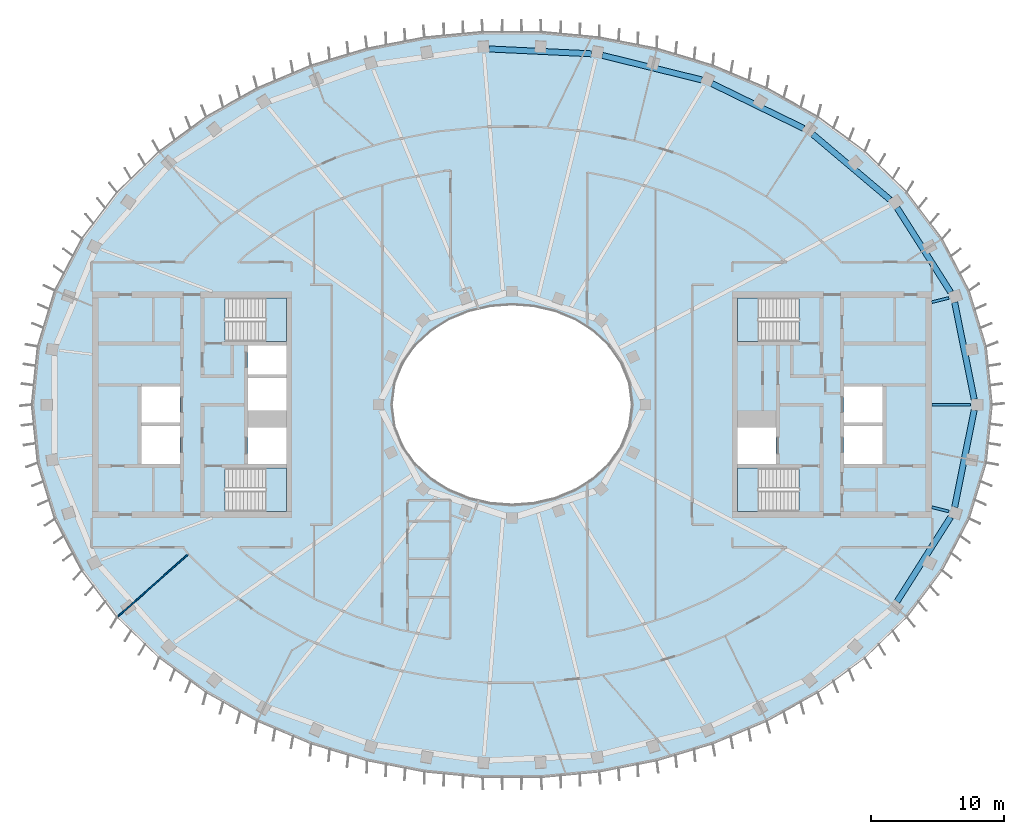
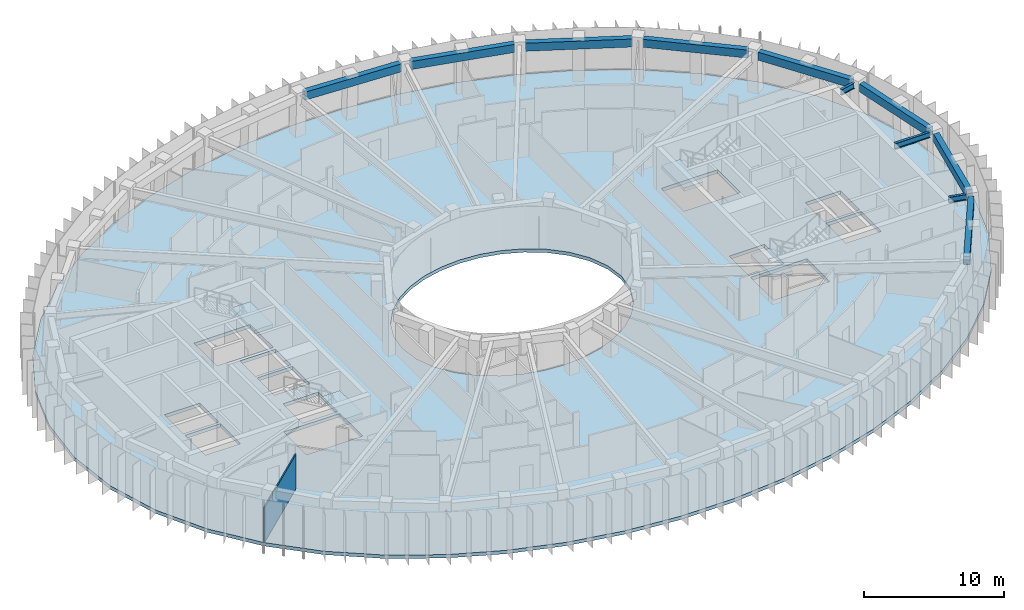
# One storey, part 2 of 13: 11 beams, 5 slabs, 1 wall, 4 elements without a shape of their own.
"""IFC4 building model written with IfcOpenShell, lengths in metres."""

import ifcopenshell
import ifcopenshell.guid

model = None  # the IFC model being written
_history = None  # IfcOwnerHistory: only IFC2X3 demands one
_inside = {}  # id of a spatial element -> (the spatial element, [elements in it])
_under = {}  # id of a project, library or spatial element -> (it, [spatial elements below it])
_declared = {}  # id of a project -> (the project, [libraries it declares])
_typed = {}  # id of a type object -> (the type object, [elements of that type])
_made_of = {}  # id of a material, layer set ... -> (it, [elements and type objects made of it])


def new_model(schema):
    """Start an empty IFC model of exactly this schema.

    Asked for "IFC4X3", IfcOpenShell would pick the latest addendum, in which some entities
    have other attributes; the version numbers below select the first issue.
    IFC2X3 requires an IfcOwnerHistory on every rooted entity: one is made here for all.
    """
    global model, _history
    if schema == "IFC4X3":
        model = ifcopenshell.file(schema_version=(4, 3, 0, 0))
    else:
        model = ifcopenshell.file(schema=schema)
    _inside.clear()
    _under.clear()
    _declared.clear()
    _typed.clear()
    _made_of.clear()
    _history = None
    if model.schema == "IFC2X3":
        org = make("IfcOrganization", Name="unknown")
        user = make(
            "IfcPersonAndOrganization",
            ThePerson=make("IfcPerson", FamilyName="unknown"),
            TheOrganization=org,
        )
        app = make(
            "IfcApplication",
            ApplicationDeveloper=org,
            Version="unknown",
            ApplicationFullName="unknown",
            ApplicationIdentifier="unknown",
        )
        _history = make(
            "IfcOwnerHistory",
            OwningUser=user,
            OwningApplication=app,
            ChangeAction="ADDED",
            CreationDate=0,
        )
    return model


def make(cls, **values):
    """One entity of the class cls with the attributes given. An attribute that is None is left unset."""
    return model.create_entity(
        cls, **{name: value for name, value in values.items() if value is not None}
    )


def rooted(cls, **values):
    """An entity with a GlobalId (a new one), such as an element, a storey or a relation."""
    return make(cls, GlobalId=ifcopenshell.guid.new(), OwnerHistory=_history, **values)


def si_unit(unit_type, name, prefix=None):
    """IfcSIUnit, for example si_unit("LENGTHUNIT", "METRE", prefix="MILLI")."""
    return make("IfcSIUnit", UnitType=unit_type, Prefix=prefix, Name=name)


def assignment(units):
    """IfcUnitAssignment: the units of a project."""
    return None if units is None else make("IfcUnitAssignment", Units=units)


def point(xyz):
    """IfcCartesianPoint."""
    return None if xyz is None else make("IfcCartesianPoint", Coordinates=xyz)


def direction(xyz):
    """IfcDirection."""
    return None if xyz is None else make("IfcDirection", DirectionRatios=xyz)


def frame(location, z_axis=None, x_axis=None):
    """IfcAxis2Placement3D, a coordinate frame: its origin and axes. An axis left out is left unset."""
    return make(
        "IfcAxis2Placement3D",
        Location=point(location),
        Axis=direction(z_axis),
        RefDirection=direction(x_axis),
    )


def frame_2d(location, x_axis=None):
    """IfcAxis2Placement2D, a coordinate frame in the plane: its origin and x axis."""
    return make(
        "IfcAxis2Placement2D", Location=point(location), RefDirection=direction(x_axis)
    )


def origin():
    """The frame at (0, 0, 0) with its axes left unset."""
    return frame((0.0, 0.0, 0.0))


def origin_2d():
    """The frame at (0, 0) in the plane with its x axis left unset."""
    return frame_2d((0.0, 0.0))


def place(relative_to, where):
    """IfcLocalPlacement: puts the frame where relative to a parent placement (None: the world)."""
    return make(
        "IfcLocalPlacement", PlacementRelTo=relative_to, RelativePlacement=where
    )


def context(
    kind, dimensions, precision=None, world=None, true_north=None, identifier=None
):
    """IfcGeometricRepresentationContext, for example the 3D "Model" context."""
    return make(
        "IfcGeometricRepresentationContext",
        ContextIdentifier=identifier,
        ContextType=kind,
        CoordinateSpaceDimension=dimensions,
        Precision=precision,
        WorldCoordinateSystem=world,
        TrueNorth=true_north,
    )


def subcontext(parent, identifier, kind, view, scale=None):
    """IfcGeometricRepresentationSubContext, for example "Body" below "Model"."""
    return make(
        "IfcGeometricRepresentationSubContext",
        ContextIdentifier=identifier,
        ContextType=kind,
        ParentContext=parent,
        TargetScale=scale,
        TargetView=view,
    )


def project(units=None, contexts=None):
    """IfcProject with its units and contexts."""
    return rooted(
        "IfcProject",
        Name="project",
        RepresentationContexts=contexts,
        UnitsInContext=assignment(units),
    )


def spatial(cls, under=None, at=None, **own):
    """A site, building, storey or space (cls), placed at a placement, below another one or the project."""
    s = rooted(cls, ObjectPlacement=at, **own)
    if under is not None:
        _under.setdefault(under.id(), (under, []))[1].append(s)
    return s


def polyline(points):
    """IfcPolyline through the points."""
    return make("IfcPolyline", Points=[point(p) for p in points])


def profile(cls, at=None, kind="AREA", **sizes):
    """A parametric profile (cls). Its sizes go by their IFC names, for example OverallWidth=200.0."""
    return make(cls, ProfileType=kind, Position=at, **sizes)


def rectangle(**sizes):
    """IfcRectangleProfileDef."""
    return profile("IfcRectangleProfileDef", **sizes)


def i_section(**sizes):
    """IfcIShapeProfileDef."""
    return profile("IfcIShapeProfileDef", **sizes)


def outline(outer, holes=None, kind="AREA"):
    """IfcArbitraryClosedProfileDef: a profile drawn as a closed curve; with holes, ...WithVoids."""
    if holes is None:
        return make("IfcArbitraryClosedProfileDef", ProfileType=kind, OuterCurve=outer)
    return make(
        "IfcArbitraryProfileDefWithVoids",
        ProfileType=kind,
        OuterCurve=outer,
        InnerCurves=holes,
    )


def extrude(swept, where, along, depth):
    """IfcExtrudedAreaSolid: the profile swept, set in the frame where, extruded along a direction by depth."""
    return make(
        "IfcExtrudedAreaSolid",
        SweptArea=swept,
        Position=where,
        ExtrudedDirection=direction(along),
        Depth=depth,
    )


def shape(context_of_items, identifier, shape_type, items):
    """IfcShapeRepresentation: the items that make up one representation, for example the "Body"."""
    return make(
        "IfcShapeRepresentation",
        ContextOfItems=context_of_items,
        RepresentationIdentifier=identifier,
        RepresentationType=shape_type,
        Items=items,
    )


def material(Name=None, Category=None):
    """IfcMaterial."""
    return make("IfcMaterial", Name=Name, Category=Category)


def layer(
    of_material, thickness, ventilated=None, Name=None, Category=None, Priority=None
):
    """IfcMaterialLayer: one layer of a wall or slab, of a material (None: an air gap)."""
    return make(
        "IfcMaterialLayer",
        Material=of_material,
        LayerThickness=thickness,
        IsVentilated=ventilated,
        Name=Name,
        Category=Category,
        Priority=Priority,
    )


def layer_set(layers, Name=None):
    """IfcMaterialLayerSet."""
    return make("IfcMaterialLayerSet", MaterialLayers=layers, LayerSetName=Name)


def material_profile(
    of_material, cross_section, Name=None, Category=None, Priority=None
):
    """IfcMaterialProfile: a cross section and its material."""
    return make(
        "IfcMaterialProfile",
        Name=Name,
        Material=of_material,
        Profile=cross_section,
        Priority=Priority,
        Category=Category,
    )


def profile_set(profiles, Name=None, composite=None):
    """IfcMaterialProfileSet."""
    return make(
        "IfcMaterialProfileSet",
        Name=Name,
        MaterialProfiles=profiles,
        CompositeProfile=composite,
    )


def made_of(thing, what):
    """Note that an element or type object is made of a material, layer set ...; save() writes the relation."""
    if what is not None:
        _made_of.setdefault(what.id(), (what, []))[1].append(thing)
    return thing


def type_object(cls, material=None, **own):
    """A type object (cls), such as IfcWallType, which elements share."""
    return made_of(rooted(cls, **own), material)


def element(
    cls,
    number,
    at=None,
    inside=None,
    cuts=None,
    type_object=None,
    material=None,
    context=None,
    identifier="Body",
    shape_type=None,
    held_by="IfcProductDefinitionShape",
    body=None,
    shapes=None,
    **own,
):
    """One element of the class cls, such as IfcWall. Its Tag is "e" and its number.

    at: its placement. inside: the storey or other place that contains it. cuts: it is an
    opening in that element (IfcRelVoidsElement). A single representation is given by context,
    identifier, shape_type and body (its items); several are given by shapes. held_by: the class
    of the entity that holds the representations. save() writes the other relations.
    """
    e = rooted(cls, Tag="e%d" % number, ObjectPlacement=at, **own)
    if body is not None:
        shapes = [shape(context, identifier, shape_type, body)]
    if shapes is not None:
        e.Representation = make(held_by, Representations=shapes)
    if inside is not None:
        _inside.setdefault(inside.id(), (inside, []))[1].append(e)
    if cuts is not None:
        rooted(
            "IfcRelVoidsElement", RelatingBuildingElement=cuts, RelatedOpeningElement=e
        )
    if type_object is not None:
        _typed.setdefault(type_object.id(), (type_object, []))[1].append(e)
    return made_of(e, material)


def aggregate(whole, parts):
    """IfcRelAggregates: a whole, such as a stair, and the parts it consists of."""
    return rooted("IfcRelAggregates", RelatingObject=whole, RelatedObjects=parts)


def save(model, path):
    """Write the relations noted so far, then the file.

    IfcRelAggregates (storeys below a building ...), IfcRelContainedInSpatialStructure (elements
    in a storey), IfcRelDefinesByType, IfcRelAssociatesMaterial and IfcRelDeclares: one each for
    every whole, place, type object, material and project.
    """
    for whole, parts in _under.values():
        aggregate(whole, parts)
    for where, things in _inside.values():
        rooted(
            "IfcRelContainedInSpatialStructure",
            RelatedElements=things,
            RelatingStructure=where,
        )
    for kind, things in _typed.values():
        rooted("IfcRelDefinesByType", RelatedObjects=things, RelatingType=kind)
    for what, things in _made_of.values():
        rooted("IfcRelAssociatesMaterial", RelatedObjects=things, RelatingMaterial=what)
    for by, libraries in _declared.values():
        rooted("IfcRelDeclares", RelatingContext=by, RelatedDefinitions=libraries)
    model.write(path)


model = new_model("IFC4")

# Units and contexts
model_context = context("Model", 3, precision=1e-05, world=origin(), true_north=direction((0.0, 1.0)))
body_context = subcontext(model_context, "Body", "Model", "MODEL_VIEW")
ifc_project = project(units=[si_unit("LENGTHUNIT", "METRE"), si_unit("AREAUNIT", "SQUARE_METRE"), si_unit("VOLUMEUNIT", "CUBIC_METRE"), si_unit("PLANEANGLEUNIT", "RADIAN"), si_unit("MASSUNIT", "GRAM", prefix="KILO")], contexts=[model_context])

# Site, building, storey
site_placement = place(None, origin())
site = spatial("IfcSite", under=ifc_project, at=site_placement, CompositionType="ELEMENT")
building_placement = place(site_placement, origin())
building = spatial("IfcBuilding", under=site, at=building_placement, Name="Noorbagh Ring Tower", CompositionType="ELEMENT")
storey_placement = place(building_placement, frame((0.0, 0.0, 327.0)))
storey = spatial("IfcBuildingStorey", under=building, at=storey_placement, Name="L71", CompositionType="ELEMENT", Elevation=327.0)

# Beams
ifc_material_1 = material(Name="Steel S355", Category="steel")
ifc_material_profile_1 = material_profile(ifc_material_1, i_section(OverallWidth=0.199951171875, OverallDepth=0.5, WebThickness=0.01025390625, FlangeThickness=0.01611328125, FilletRadius=0.02099609375, at=origin_2d()), Name="IPE500")
ifc_profile_set_1 = profile_set([ifc_material_profile_1], Name="Steel S355")
beam_type_1 = type_object("IfcBeamType", Name="STR-RAD-IPE500", PredefinedType="BEAM", material=ifc_profile_set_1)
beam_1_placement = place(storey_placement, frame((34.3779296875, 0.0, 3.449951171875), z_axis=(-1.0, 0.0, 0.0), x_axis=(0.0, -1.0, 0.0)))
element("IfcBeam", 1, at=beam_1_placement, inside=storey, type_object=beam_type_1, Name="L71/bm/RD01", PredefinedType="BEAM", context=body_context, shape_type="SweptSolid", body=[
    extrude(i_section(OverallWidth=0.199951171875, OverallDepth=0.5, WebThickness=0.01025390625, FlangeThickness=0.01611328125, FilletRadius=0.02099609375, at=origin_2d()), origin(), (0.0, 0.0, 1.0), 2.89794921875),
])
for number, where, z_axis, x_axis, name in (
    (2, (32.75341796875, 8.002197265625, 3.449951171875), (-0.971464866467, -0.237183501153, 0.0), (0.237183501153, -0.971464866467, 0.0), "L71/bm/RD03"),
    (3, (32.75341796875, -8.002197265625, 3.449951171875), (-0.971464866467, 0.237183501153, 0.0), (-0.237183501153, -0.971464866467, 0.0), "L71/bm/RD45"),
):
    element("IfcBeam", number, at=place(storey_placement, frame(where, z_axis=z_axis, x_axis=x_axis)), inside=storey, type_object=beam_type_1, Name=name, PredefinedType="BEAM", context=body_context, shape_type="SweptSolid", body=[
        extrude(i_section(OverallWidth=0.199951171875, OverallDepth=0.5, WebThickness=0.01025390625, FlangeThickness=0.01611328125, FilletRadius=0.02099609375, at=origin_2d()), origin(), (0.0, 0.0, 1.0), 1.310302734375),
    ])
ifc_material_2 = material(Name="Concrete C40/50", Category="concrete")
ifc_material_profile_2 = material_profile(ifc_material_2, rectangle(XDim=0.449951171875, YDim=0.699951171875, at=origin_2d()), Name="RC450x700")
ifc_profile_set_2 = profile_set([ifc_material_profile_2], Name="Concrete C40/50")
beam_type_2 = type_object("IfcBeamType", Name="STR-SB-RC450x700-C40-50", PredefinedType="BEAM", material=ifc_profile_set_2)
beam_2_placement = place(storey_placement, frame((34.66259765625, 0.4052734375, 3.35009765625), z_axis=(-0.197545195685, 0.980293780283, 0.0), x_axis=(-0.980293780283, -0.197545195685, 0.0)))
element("IfcBeam", 4, at=beam_2_placement, inside=storey, type_object=beam_type_2, Name="L71/bm/SP01", PredefinedType="BEAM", context=body_context, shape_type="SweptSolid", body=[
    extrude(rectangle(XDim=0.449951171875, YDim=0.699951171875, at=origin_2d()), origin(), (0.0, 0.0, 1.0), 7.423828125),
])
beam_3_placement = place(storey_placement, frame((32.893798828125, 8.435302734375, 3.35009765625), z_axis=(-0.535790529896, 0.844350938931, 0.0), x_axis=(-0.844350938931, -0.535790529896, 0.0)))
element("IfcBeam", 5, at=beam_3_placement, inside=storey, type_object=beam_type_2, Name="L71/bm/SP03", PredefinedType="BEAM", context=body_context, shape_type="SweptSolid", body=[
    extrude(rectangle(XDim=0.449951171875, YDim=0.699951171875, at=origin_2d()), origin(), (0.0, 0.0, 1.0), 7.501708984375),
])
beam_4_placement = place(storey_placement, frame((28.341796875, 15.380126953125, 3.35009765625), z_axis=(-0.763533904346, 0.645767742237, 0.0), x_axis=(-0.645767742237, -0.763533904346, 0.0)))
element("IfcBeam", 6, at=beam_4_placement, inside=storey, type_object=beam_type_2, Name="L71/bm/SP05", PredefinedType="BEAM", context=body_context, shape_type="SweptSolid", body=[
    extrude(rectangle(XDim=0.449951171875, YDim=0.699951171875, at=origin_2d()), origin(), (0.0, 0.0, 1.0), 7.589599609375),
])
beam_5_placement = place(storey_placement, frame((21.868408203125, 20.723876953125, 3.35009765625), z_axis=(-0.898674585171, 0.438615993743, 0.0), x_axis=(-0.438615993743, -0.898674585171, 0.0)))
element("IfcBeam", 7, at=beam_5_placement, inside=storey, type_object=beam_type_2, Name="L71/bm/SP07", PredefinedType="BEAM", context=body_context, shape_type="SweptSolid", body=[
    extrude(rectangle(XDim=0.449951171875, YDim=0.699951171875, at=origin_2d()), origin(), (0.0, 0.0, 1.0), 7.651123046875),
])
beam_6_placement = place(storey_placement, frame((14.230712890625, 24.356201171875, 3.35009765625), z_axis=(-0.97092032723, 0.239402836599, 0.0), x_axis=(-0.239402836599, -0.97092032723, 0.0)))
element("IfcBeam", 8, at=beam_6_placement, inside=storey, type_object=beam_type_2, Name="L71/bm/SP09", PredefinedType="BEAM", context=body_context, shape_type="SweptSolid", body=[
    extrude(rectangle(XDim=0.449951171875, YDim=0.699951171875, at=origin_2d()), origin(), (0.0, 0.0, 1.0), 7.686279296875),
])
beam_7_placement = place(storey_placement, frame((5.966552734375, 26.31298828125, 3.35009765625), z_axis=(-0.99887286734, 0.047465723341, 0.0), x_axis=(-0.047465723341, -0.99887286734, 0.0)))
element("IfcBeam", 9, at=beam_7_placement, inside=storey, type_object=beam_type_2, Name="L71/bm/SP11", PredefinedType="BEAM", context=body_context, shape_type="SweptSolid", body=[
    extrude(rectangle(XDim=0.449951171875, YDim=0.699951171875, at=origin_2d()), origin(), (0.0, 0.0, 1.0), 7.699951171875),
])
beam_8_placement = place(storey_placement, frame((28.87451171875, -14.769287109375, 3.35009765625), z_axis=(0.535790529896, 0.844350938931, 0.0), x_axis=(-0.844350938931, 0.535790529896, 0.0)))
element("IfcBeam", 10, at=beam_8_placement, inside=storey, type_object=beam_type_2, Name="L71/bm/SP43", PredefinedType="BEAM", context=body_context, shape_type="SweptSolid", body=[
    extrude(rectangle(XDim=0.449951171875, YDim=0.699951171875, at=origin_2d()), origin(), (0.0, 0.0, 1.0), 7.501708984375),
])
beam_9_placement = place(storey_placement, frame((33.196044921875, -7.682861328125, 3.35009765625), z_axis=(0.197545195685, 0.980293780283, 0.0), x_axis=(-0.980293780283, 0.197545195685, 0.0)))
element("IfcBeam", 11, at=beam_9_placement, inside=storey, type_object=beam_type_2, Name="L71/bm/SP45", PredefinedType="BEAM", context=body_context, shape_type="SweptSolid", body=[
    extrude(rectangle(XDim=0.449951171875, YDim=0.699951171875, at=origin_2d()), origin(), (0.0, 0.0, 1.0), 7.423828125),
])

# Stair, slab
ifc_material_3 = material(Name="Concrete C40/50", Category="concrete")
stair_type = type_object("IfcStairType", Name="CORE-STAIR", PredefinedType="HALF_TURN_STAIR", material=ifc_material_3)
stair_1_placement = place(storey_placement, origin())
stair_1 = element("IfcStair", 12, at=stair_1_placement, inside=storey, type_object=stair_type, Name="L71 Exit stair ST1", PredefinedType="HALF_TURN_STAIR")
ifc_material_4 = material(Name="Concrete C40/50", Category="concrete")
ifc_layer_1 = layer(ifc_material_4, 0.300048828125)
ifc_layer_set_1 = layer_set([ifc_layer_1], Name="Concrete C40/50")
slab_type_1 = type_object("IfcSlabType", Name="CORE-STAIR-LANDING", PredefinedType="LANDING", material=ifc_layer_set_1)
slab_1_placement = place(storey_placement, frame((0.0, 0.0, 1.699951171875)))
slab_1 = element("IfcSlab", 13, at=slab_1_placement, type_object=slab_type_1, Name="ST1 landing 1", PredefinedType="LANDING", context=body_context, shape_type="SweptSolid", body=[
    extrude(outline(polyline([(-18.449951171875, 4.75), (-16.89990234375, 4.75), (-16.89990234375, 8.0), (-18.449951171875, 8.0), (-18.449951171875, 4.75)])), origin(), (0.0, 0.0, 1.0), 0.300048828125),
])
aggregate(stair_1, [slab_1])

stair_2_placement = place(storey_placement, origin())
stair_2 = element("IfcStair", 14, at=stair_2_placement, inside=storey, type_object=stair_type, Name="L71 Exit stair ST2", PredefinedType="HALF_TURN_STAIR")
slab_2_placement = place(storey_placement, frame((0.0, 0.0, 1.699951171875)))
slab_2 = element("IfcSlab", 15, at=slab_2_placement, type_object=slab_type_1, Name="ST2 landing 1", PredefinedType="LANDING", context=body_context, shape_type="SweptSolid", body=[
    extrude(outline(polyline([(-18.449951171875, -8.0), (-16.89990234375, -8.0), (-16.89990234375, -4.75), (-18.449951171875, -4.75), (-18.449951171875, -8.0)])), origin(), (0.0, 0.0, 1.0), 0.300048828125),
])
aggregate(stair_2, [slab_2])

stair_3_placement = place(storey_placement, origin())
stair_3 = element("IfcStair", 16, at=stair_3_placement, inside=storey, type_object=stair_type, Name="L71 Exit stair ST3", PredefinedType="HALF_TURN_STAIR")
slab_3_placement = place(storey_placement, frame((0.0, 0.0, 1.699951171875)))
slab_3 = element("IfcSlab", 17, at=slab_3_placement, type_object=slab_type_1, Name="ST3 landing 1", PredefinedType="LANDING", context=body_context, shape_type="SweptSolid", body=[
    extrude(outline(polyline([(18.449951171875, 8.0), (16.89990234375, 8.0), (16.89990234375, 4.75), (18.449951171875, 4.75), (18.449951171875, 8.0)])), origin(), (0.0, 0.0, 1.0), 0.300048828125),
])
aggregate(stair_3, [slab_3])

stair_4_placement = place(storey_placement, origin())
stair_4 = element("IfcStair", 18, at=stair_4_placement, inside=storey, type_object=stair_type, Name="L71 Exit stair ST4", PredefinedType="HALF_TURN_STAIR")
slab_4_placement = place(storey_placement, frame((0.0, 0.0, 1.699951171875)))
slab_4 = element("IfcSlab", 19, at=slab_4_placement, type_object=slab_type_1, Name="ST4 landing 1", PredefinedType="LANDING", context=body_context, shape_type="SweptSolid", body=[
    extrude(outline(polyline([(18.449951171875, -4.75), (16.89990234375, -4.75), (16.89990234375, -8.0), (18.449951171875, -8.0), (18.449951171875, -4.75)])), origin(), (0.0, 0.0, 1.0), 0.300048828125),
])
aggregate(stair_4, [slab_4])

# Slab
ifc_material_5 = material(Name="Concrete C40/50", Category="concrete")
ifc_layer_2 = layer(ifc_material_5, 0.300048828125)
ifc_layer_set_2 = layer_set([ifc_layer_2], Name="Concrete C40/50")
slab_type_2 = type_object("IfcSlabType", Name="STR-FLOOR-DECK-300", PredefinedType="FLOOR", material=ifc_layer_set_2)
slab_5_placement = place(storey_placement, frame((0.0, 0.0, -0.300048828125)))
element("IfcSlab", 20, at=slab_5_placement, inside=storey, type_object=slab_type_2, Name="L71/slab/1", PredefinedType="FLOOR", context=body_context, shape_type="SweptSolid", body=[
    extrude(outline(polyline([(36.0, 0.0), (35.56103515625, 4.358642578125), (34.281005859375, 8.548828125), (32.255126953125, 12.434814453125), (29.607666015625, 15.92822265625), (26.463134765625, 18.983154296875), (22.9326171875, 21.583740234375), (19.108154296875, 23.730224609375), (15.0654296875, 25.430419921875), (10.865234375, 26.6943359375), (6.5595703125, 27.53125), (2.193115234375, 27.947998046875), (-2.193115234375, 27.947998046875), (-6.5595703125, 27.53125), (-10.865234375, 26.6943359375), (-15.0654296875, 25.430419921875), (-19.108154296875, 23.730224609375), (-22.9326171875, 21.583740234375), (-26.463134765625, 18.983154296875), (-29.607666015625, 15.92822265625), (-32.255126953125, 12.434814453125), (-34.281005859375, 8.548828125), (-35.56103515625, 4.358642578125), (-36.0, 0.0), (-35.56103515625, -4.358642578125), (-34.281005859375, -8.548828125), (-32.255126953125, -12.434814453125), (-29.607666015625, -15.92822265625), (-26.463134765625, -18.983154296875), (-22.9326171875, -21.583740234375), (-19.108154296875, -23.730224609375), (-15.0654296875, -25.430419921875), (-10.865234375, -26.6943359375), (-6.5595703125, -27.53125), (-2.193115234375, -27.947998046875), (2.193115234375, -27.947998046875), (6.5595703125, -27.53125), (10.865234375, -26.6943359375), (15.0654296875, -25.430419921875), (19.108154296875, -23.730224609375), (22.9326171875, -21.583740234375), (26.463134765625, -18.983154296875), (29.607666015625, -15.92822265625), (32.255126953125, -12.434814453125), (34.281005859375, -8.548828125), (35.56103515625, -4.358642578125), (36.0, 0.0)]), holes=[polyline([(24.89990234375, -1.60009765625), (27.800048828125, -1.60009765625), (27.800048828125, -4.449951171875), (24.89990234375, -4.449951171875), (24.89990234375, -1.60009765625)]), polyline([(24.89990234375, 1.35009765625), (27.800048828125, 1.35009765625), (27.800048828125, -1.35009765625), (24.89990234375, -1.35009765625), (24.89990234375, 1.35009765625)]), polyline([(21.529541015625, -8.0), (16.89990234375, -8.0), (16.89990234375, -4.75), (21.529541015625, -4.75), (21.529541015625, -8.0)]), polyline([(21.529541015625, 4.75), (16.89990234375, 4.75), (16.89990234375, 8.0), (21.529541015625, 8.0), (21.529541015625, 4.75)]), polyline([(16.89990234375, -1.699951171875), (19.800048828125, -1.699951171875), (19.800048828125, -4.449951171875), (16.89990234375, -4.449951171875), (16.89990234375, -1.699951171875)]), polyline([(4.697509765625, -6.3974609375), (3.196533203125, -7.010986328125), (1.6171875, -7.3779296875), (0.0, -7.5), (-1.6171875, -7.3779296875), (-3.196533203125, -7.010986328125), (-4.697509765625, -6.3974609375), (-6.071044921875, -5.53662109375), (-7.2587890625, -4.43408203125), (-8.1904296875, -3.10888671875), (-8.79150390625, -1.605224609375), (-9.0, 0.0), (-8.79150390625, 1.605224609375), (-8.1904296875, 3.10888671875), (-7.2587890625, 4.43408203125), (-6.071044921875, 5.53662109375), (-4.697509765625, 6.3974609375), (-3.196533203125, 7.010986328125), (-1.6171875, 7.3779296875), (0.0, 7.5), (1.6171875, 7.3779296875), (3.196533203125, 7.010986328125), (4.697509765625, 6.3974609375), (6.071044921875, 5.53662109375), (7.2587890625, 4.43408203125), (8.1904296875, 3.10888671875), (8.79150390625, 1.605224609375), (9.0, 0.0), (8.79150390625, -1.605224609375), (8.1904296875, -3.10888671875), (7.2587890625, -4.43408203125), (6.071044921875, -5.53662109375), (4.697509765625, -6.3974609375)]), polyline([(-21.529541015625, -8.0), (-21.529541015625, -4.75), (-16.89990234375, -4.75), (-16.89990234375, -8.0), (-21.529541015625, -8.0)]), polyline([(-21.529541015625, 4.75), (-21.529541015625, 8.0), (-16.89990234375, 8.0), (-16.89990234375, 4.75), (-21.529541015625, 4.75)]), polyline([(-16.89990234375, -4.449951171875), (-19.800048828125, -4.449951171875), (-19.800048828125, -1.699951171875), (-16.89990234375, -1.699951171875), (-16.89990234375, -4.449951171875)]), polyline([(-16.89990234375, -0.449951171875), (-19.800048828125, -0.449951171875), (-19.800048828125, 2.0), (-16.89990234375, 2.0), (-16.89990234375, -0.449951171875)]), polyline([(-16.89990234375, 2.25), (-19.800048828125, 2.25), (-19.800048828125, 4.449951171875), (-16.89990234375, 4.449951171875), (-16.89990234375, 2.25)]), polyline([(-24.89990234375, -4.449951171875), (-27.800048828125, -4.449951171875), (-27.800048828125, -1.60009765625), (-24.89990234375, -1.60009765625), (-24.89990234375, -4.449951171875)]), polyline([(-24.89990234375, 1.35009765625), (-24.89990234375, -1.35009765625), (-27.800048828125, -1.35009765625), (-27.800048828125, 1.35009765625), (-24.89990234375, 1.35009765625)])]), origin(), (0.0, 0.0, 1.0), 0.300048828125),
])

# Wall
ifc_material_6 = material(Name="Gypsum board on steel studs", Category="steel")
ifc_layer_3 = layer(ifc_material_6, 0.10009765625)
ifc_layer_set_3 = layer_set([ifc_layer_3], Name="Gypsum board on steel studs")
wall_type = type_object("IfcWallType", Name="PARTITION 100 GYPSUM", PredefinedType="PARTITIONING", material=ifc_layer_set_3)
wall_placement = place(storey_placement, frame((-29.569091796875, -15.89501953125, 0.0), z_axis=(0.0, 0.0, 1.0), x_axis=(0.748943800592, 0.662633521303, 0.0)))
element("IfcWall", 21, at=wall_placement, inside=storey, type_object=wall_type, Name="L71/wall/P06", PredefinedType="PARTITIONING", context=body_context, shape_type="SweptSolid", body=[
    extrude(rectangle(XDim=7.06591796875, YDim=0.10009765625, at=frame_2d((3.532958984375, 0.0))), origin(), (0.0, 0.0, 1.0), 3.0),
])

save(model, "model.ifc")
